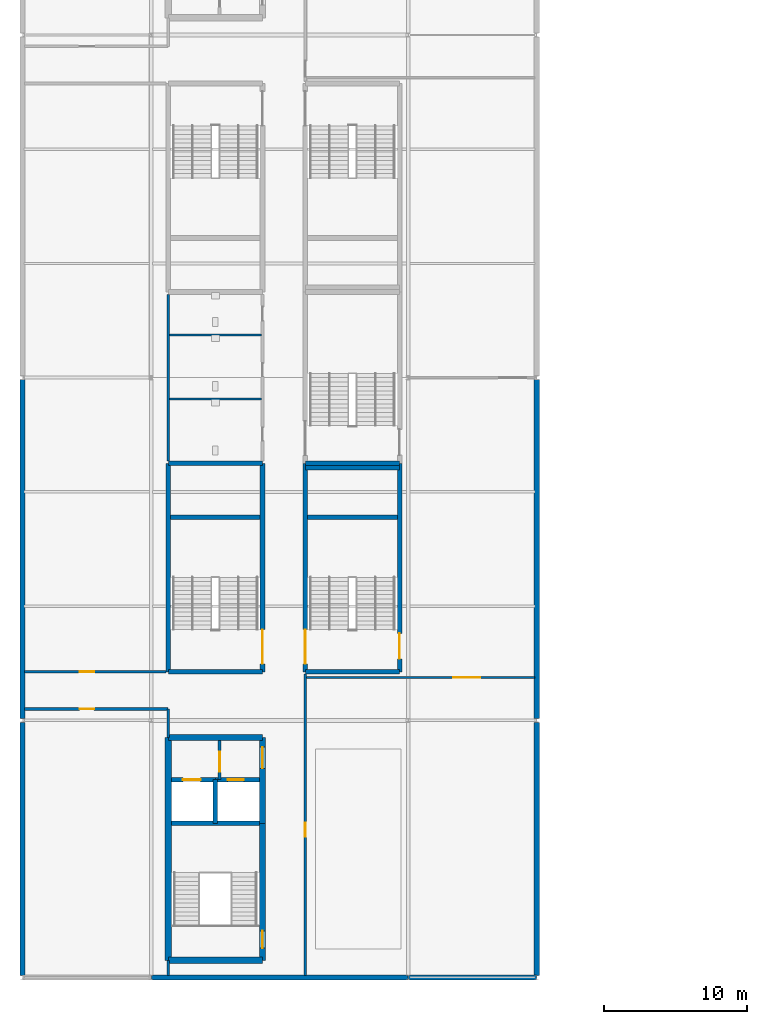
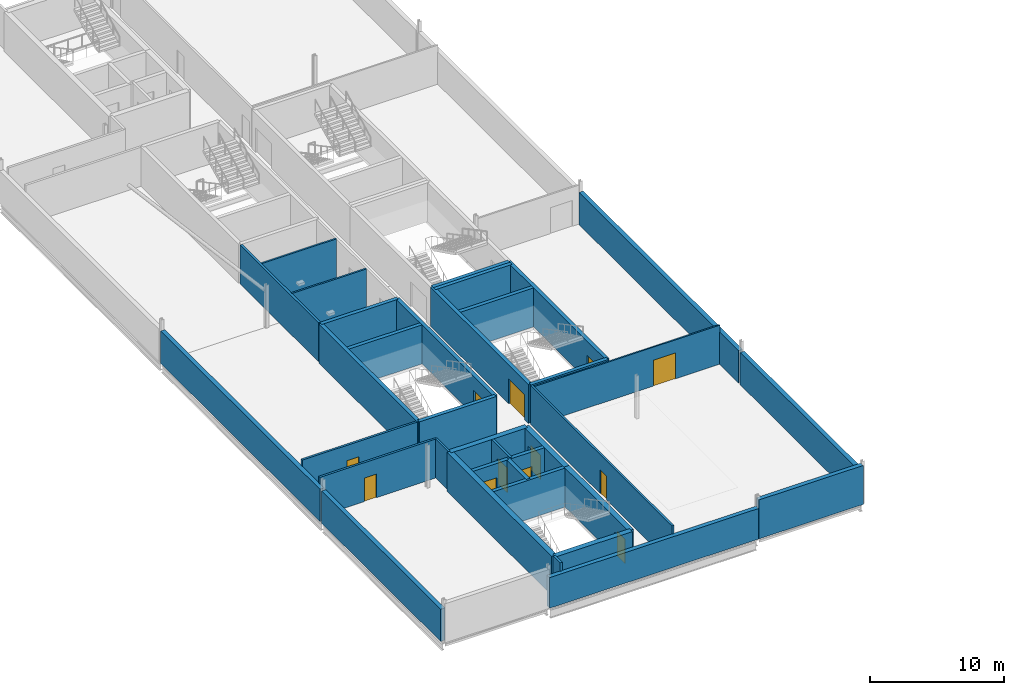
# One storey, part 14 of 30: 36 walls, 12 doors, 12 openings.
"""IFC4 building model written with IfcOpenShell, lengths in metres."""

from ifc_helpers import new_model, si_unit, direction, frame, frame_2d, origin, place, context, subcontext, project, spatial, rectangle, extrude, material, layer, layer_set, type_object, element, fill, save


model = new_model("IFC4")

# Units and contexts
model_context = context("Model", 3, precision=1e-05, world=origin(), true_north=direction((0.0, 1.0)))
body_context = subcontext(model_context, "Body", "Model", "MODEL_VIEW")
ifc_project = project(units=[si_unit("LENGTHUNIT", "METRE"), si_unit("AREAUNIT", "SQUARE_METRE"), si_unit("VOLUMEUNIT", "CUBIC_METRE"), si_unit("PLANEANGLEUNIT", "RADIAN"), si_unit("MASSUNIT", "GRAM", prefix="KILO")], contexts=[model_context])

# Site, building, storey
site_placement = place(None, origin())
site = spatial("IfcSite", under=ifc_project, at=site_placement, CompositionType="ELEMENT")
building_placement = place(site_placement, origin())
building = spatial("IfcBuilding", under=site, at=building_placement, Name="Kisiwana Market Hall", CompositionType="ELEMENT")
storey_placement = place(building_placement, frame((0.0, 0.0, 54.0)))
storey = spatial("IfcBuildingStorey", under=building, at=storey_placement, Name="L12", CompositionType="ELEMENT", Elevation=54.0)

# Wall, opening, door
ifc_material_1 = material(Name="Masonry blockwork", Category="masonry")
ifc_layer_1 = layer(ifc_material_1, 0.199951171875, Name="Plastered fire compartment block wall")
ifc_layer_set_1 = layer_set([ifc_layer_1], Name="WL-COMP-200")
wall_type_1 = type_object("IfcWallType", Name="WL-COMP-200", PredefinedType="PARTITIONING", material=ifc_layer_set_1)
wall_1_placement = place(storey_placement, frame((13.800048828125, 31.844970703125, 0.0), z_axis=(0.0, 0.0, 1.0), x_axis=(0.0, 1.0, 0.0)))
wall_1 = element("IfcWall", 1, at=wall_1_placement, inside=storey, type_object=wall_type_1, Name="Core W2 firefighting lobby wall W-3011", PredefinedType="PARTITIONING", context=body_context, shape_type="SweptSolid", body=[
    extrude(rectangle(XDim=2.72998046875, YDim=0.199951171875, at=frame_2d((1.364990234375, 0.0))), origin(), (0.0, 0.0, 1.0), 3.544921875),
])
opening_1_placement = place(wall_1_placement, frame((0.550048828125, 0.0, 0.0)))
opening_1 = element("IfcOpeningElement", 2, at=opening_1_placement, cuts=wall_1, Name="Opening DR-L12-003", PredefinedType="OPENING", context=body_context, shape_type="SweptSolid", body=[
    extrude(rectangle(XDim=1.39990234375, YDim=2.25, at=frame_2d((0.699951171875, 1.125))), frame((0.0, 0.11181640625, 0.0), z_axis=(0.0, -1.0, 0.0), x_axis=(1.0, 0.0, 0.0)), (0.0, 0.0, 1.0), 0.223876953125),
])
ifc_material_2 = material(Name="Steel S275", Category="steel")
door_type_1 = type_object("IfcDoorType", Name="DR-FFLOB-FD120-1400", OperationType="DOUBLE_DOOR_SINGLE_SWING", PredefinedType="DOOR", material=ifc_material_2)
door_1_placement = place(opening_1_placement, frame((1.39990234375, 0.0, 0.0), z_axis=(0.0, 0.0, 1.0), x_axis=(-1.0, 0.0, 0.0)))
door_1 = element("IfcDoor", 3, at=door_1_placement, inside=storey, type_object=door_type_1, Name="Firefighting Lift Lobby W2 Door (L12)", OperationType="DOUBLE_DOOR_SINGLE_SWING", OverallHeight=2.25, OverallWidth=1.39990234375, PredefinedType="DOOR", context=body_context, shape_type="SweptSolid", body=[
    extrude(rectangle(XDim=1.39990234375, YDim=2.25, at=frame_2d((0.699951171875, 1.125))), frame((0.0, 0.02490234375, 0.0), z_axis=(0.0, -1.0, 0.0), x_axis=(1.0, 0.0, 0.0)), (0.0, 0.0, 1.0), 0.050048828125),
])
fill(opening_1, door_1)

# Walls
wall_2_placement = place(storey_placement, frame((10.199951171875, 54.159912109375, 0.0), z_axis=(0.0, 0.0, 1.0), x_axis=(0.0, 1.0, 0.0)))
element("IfcWall", 4, at=wall_2_placement, inside=storey, type_object=wall_type_1, Name="Interior partition W-3015", PredefinedType="PARTITIONING", context=body_context, shape_type="SweptSolid", body=[
    extrude(rectangle(XDim=11.68017578125, YDim=0.199951171875, at=frame_2d((5.840087890625, 0.0))), origin(), (0.0, 0.0, 1.0), 3.544921875),
])
ifc_material_3 = material(Name="Concrete C40/50", Category="concrete")
ifc_layer_2 = layer(ifc_material_3, 0.320068359375, Name="Reinforced concrete shaft wall")
ifc_layer_set_2 = layer_set([ifc_layer_2], Name="WL-CORE-320")
wall_type_2 = type_object("IfcWallType", Name="WL-CORE-320", PredefinedType="SHEAR", material=ifc_layer_set_2)
wall_3_placement = place(storey_placement, frame((10.425048828125, 28.784912109375, 0.0), z_axis=(0.0, 0.0, 1.0), x_axis=(1.0, 0.0, 0.0)))
element("IfcWall", 5, at=wall_3_placement, inside=storey, type_object=wall_type_2, Name="Core W2 shaft back shear wall W-2904", PredefinedType="SHEAR", context=body_context, shape_type="SweptSolid", body=[
    extrude(rectangle(XDim=6.14990234375, YDim=0.320068359375, at=frame_2d((3.074951171875, 0.0))), origin(), (0.0, 0.0, 1.0), 3.544921875),
])
wall_4_placement = place(storey_placement, frame((13.5, 28.784912109375, 0.0), z_axis=(0.0, 0.0, 1.0), x_axis=(0.0, 1.0, 0.0)))
element("IfcWall", 6, at=wall_4_placement, inside=storey, type_object=wall_type_2, Name="Core W2 inter-shaft shear wall W-2905", PredefinedType="SHEAR", context=body_context, shape_type="SweptSolid", body=[
    extrude(rectangle(XDim=3.06005859375, YDim=0.320068359375, at=frame_2d((1.530029296875, 0.0))), origin(), (0.0, 0.0, 1.0), 3.544921875),
])

# Wall, opening, door
wall_5_placement = place(storey_placement, frame((10.425048828125, 31.844970703125, 0.0), z_axis=(0.0, 0.0, 1.0), x_axis=(1.0, 0.0, 0.0)))
wall_5 = element("IfcWall", 7, at=wall_5_placement, inside=storey, type_object=wall_type_2, Name="Core W2 west lift front wall W-2906", PredefinedType="SHEAR", context=body_context, shape_type="SweptSolid", body=[
    extrude(rectangle(XDim=3.074951171875, YDim=0.320068359375, at=frame_2d((1.53759765625, 0.0))), origin(), (0.0, 0.0, 1.0), 3.544921875),
])
opening_2_placement = place(wall_5_placement, frame((0.800048828125, 0.0, 0.0)))
opening_2 = element("IfcOpeningElement", 8, at=opening_2_placement, cuts=wall_5, Name="Opening LD-L12-001", PredefinedType="OPENING", context=body_context, shape_type="SweptSolid", body=[
    extrude(rectangle(XDim=1.25, YDim=2.25, at=frame_2d((0.625, 1.125))), frame((0.0, 0.171875, 0.0), z_axis=(0.0, -1.0, 0.0), x_axis=(1.0, 0.0, 0.0)), (0.0, 0.0, 1.0), 0.343994140625),
])
ifc_material_4 = material(Name="Steel S275", Category="steel")
door_type_2 = type_object("IfcDoorType", Name="DR-LIFT-FFL-1250", OperationType="DOUBLE_DOOR_SLIDING", PredefinedType="DOOR", material=ifc_material_4)
door_2_placement = place(opening_2_placement, origin())
door_2 = element("IfcDoor", 9, at=door_2_placement, inside=storey, type_object=door_type_2, Name="Lift Landing Door FFL-01 (L12)", OperationType="DOUBLE_DOOR_SLIDING", OverallHeight=2.25, OverallWidth=1.25, PredefinedType="DOOR", context=body_context, shape_type="SweptSolid", body=[
    extrude(rectangle(XDim=1.25, YDim=2.25, at=frame_2d((0.625, 1.125))), frame((0.0, 0.02490234375, 0.0), z_axis=(0.0, -1.0, 0.0), x_axis=(1.0, 0.0, 0.0)), (0.0, 0.0, 1.0), 0.050048828125),
])
fill(opening_2, door_2)

wall_6_placement = place(storey_placement, frame((13.5, 31.844970703125, 0.0), z_axis=(0.0, 0.0, 1.0), x_axis=(1.0, 0.0, 0.0)))
wall_6 = element("IfcWall", 10, at=wall_6_placement, inside=storey, type_object=wall_type_2, Name="Core W2 east lift front wall W-2907", PredefinedType="SHEAR", context=body_context, shape_type="SweptSolid", body=[
    extrude(rectangle(XDim=3.074951171875, YDim=0.320068359375, at=frame_2d((1.53759765625, 0.0))), origin(), (0.0, 0.0, 1.0), 3.544921875),
])
opening_3_placement = place(wall_6_placement, frame((0.85009765625, 0.0, 0.0)))
opening_3 = element("IfcOpeningElement", 11, at=opening_3_placement, cuts=wall_6, Name="Opening LD-L12-002", PredefinedType="OPENING", context=body_context, shape_type="SweptSolid", body=[
    extrude(rectangle(XDim=1.14990234375, YDim=2.199951171875, at=frame_2d((0.574951171875, 1.10009765625))), frame((0.0, 0.171875, 0.0), z_axis=(0.0, -1.0, 0.0), x_axis=(1.0, 0.0, 0.0)), (0.0, 0.0, 1.0), 0.343994140625),
])
ifc_material_5 = material(Name="Steel S275", Category="steel")
door_type_3 = type_object("IfcDoorType", Name="DR-LIFT-PAX-1150", OperationType="DOUBLE_DOOR_SLIDING", PredefinedType="DOOR", material=ifc_material_5)
door_3_placement = place(opening_3_placement, origin())
door_3 = element("IfcDoor", 12, at=door_3_placement, inside=storey, type_object=door_type_3, Name="Lift Landing Door LP-01 (L12)", OperationType="DOUBLE_DOOR_SLIDING", OverallHeight=2.199951171875, OverallWidth=1.14990234375, PredefinedType="DOOR", context=body_context, shape_type="SweptSolid", body=[
    extrude(rectangle(XDim=1.14990234375, YDim=2.199951171875, at=frame_2d((0.574951171875, 1.10009765625))), frame((0.0, 0.02490234375, 0.0), z_axis=(0.0, -1.0, 0.0), x_axis=(1.0, 0.0, 0.0)), (0.0, 0.0, 1.0), 0.050048828125),
])
fill(opening_3, door_3)

# Walls
for number, where, z_axis, x_axis, name in (
    (13, (10.199951171875, 39.39990234375, 0.0), (0.0, 0.0, 1.0), (1.0, 0.0, 0.0), "Core W3 south shear wall W-2935"),
    (14, (10.199951171875, 54.0, 0.0), (0.0, 0.0, 1.0), (1.0, 0.0, 0.0), "Core W3 north shear wall W-2936"),
):
    element("IfcWall", number, at=place(storey_placement, frame(where, z_axis=z_axis, x_axis=x_axis)), inside=storey, type_object=wall_type_2, Name=name, PredefinedType="SHEAR", context=body_context, shape_type="SweptSolid", body=[
        extrude(rectangle(XDim=6.60009765625, YDim=0.320068359375, at=frame_2d((3.300048828125, 0.0))), origin(), (0.0, 0.0, 1.0), 3.544921875),
    ])
wall_7_placement = place(storey_placement, frame((10.199951171875, 39.39990234375, 0.0), z_axis=(0.0, 0.0, 1.0), x_axis=(0.0, 1.0, 0.0)))
element("IfcWall", 15, at=wall_7_placement, inside=storey, type_object=wall_type_2, Name="Core W3 outer shear wall W-2937", PredefinedType="SHEAR", context=body_context, shape_type="SweptSolid", body=[
    extrude(rectangle(XDim=14.60009765625, YDim=0.320068359375, at=frame_2d((7.300048828125, 0.0))), origin(), (0.0, 0.0, 1.0), 3.544921875),
])

# Wall, opening, door
wall_8_placement = place(storey_placement, frame((16.800048828125, 39.39990234375, 0.0), z_axis=(0.0, 0.0, 1.0), x_axis=(0.0, 1.0, 0.0)))
wall_8 = element("IfcWall", 16, at=wall_8_placement, inside=storey, type_object=wall_type_2, Name="Core W3 corridor shear wall W-2938", PredefinedType="SHEAR", context=body_context, shape_type="SweptSolid", body=[
    extrude(rectangle(XDim=14.60009765625, YDim=0.320068359375, at=frame_2d((7.300048828125, 0.0))), origin(), (0.0, 0.0, 1.0), 3.544921875),
])
opening_4_placement = place(wall_8_placement, frame((0.550048828125, 0.0, 0.0)))
opening_4 = element("IfcOpeningElement", 17, at=opening_4_placement, cuts=wall_8, Name="Opening DR-L12-013", PredefinedType="OPENING", context=body_context, shape_type="SweptSolid", body=[
    extrude(rectangle(XDim=2.39990234375, YDim=2.25, at=frame_2d((1.199951171875, 1.125))), frame((0.0, 0.171875, 0.0), z_axis=(0.0, -1.0, 0.0), x_axis=(1.0, 0.0, 0.0)), (0.0, 0.0, 1.0), 0.343994140625),
])
ifc_material_6 = material(Name="Steel S275", Category="steel")
door_type_4 = type_object("IfcDoorType", Name="DR-STAIR-FD120-2400", OperationType="DOUBLE_DOOR_SINGLE_SWING", PredefinedType="DOOR", material=ifc_material_6)
door_4_placement = place(opening_4_placement, origin())
door_4 = element("IfcDoor", 18, at=door_4_placement, inside=storey, type_object=door_type_4, Name="Escape Stair W3 Fire Door (L12)", OperationType="DOUBLE_DOOR_SINGLE_SWING", OverallHeight=2.25, OverallWidth=2.39990234375, PredefinedType="DOOR", context=body_context, shape_type="SweptSolid", body=[
    extrude(rectangle(XDim=2.39990234375, YDim=2.25, at=frame_2d((1.199951171875, 1.125))), frame((0.0, 0.02490234375, 0.0), z_axis=(0.0, -1.0, 0.0), x_axis=(1.0, 0.0, 0.0)), (0.0, 0.0, 1.0), 0.050048828125),
])
fill(opening_4, door_4)

# Walls
wall_9_placement = place(storey_placement, frame((10.360107421875, 50.219970703125, 0.0), z_axis=(0.0, 0.0, 1.0), x_axis=(1.0, 0.0, 0.0)))
element("IfcWall", 19, at=wall_9_placement, inside=storey, type_object=wall_type_2, Name="Core W3 riser divider shear wall W-2939", PredefinedType="SHEAR", context=body_context, shape_type="SweptSolid", body=[
    extrude(rectangle(XDim=6.27978515625, YDim=0.320068359375, at=frame_2d((3.139892578125, 0.0))), origin(), (0.0, 0.0, 1.0), 3.544921875),
])
for number, where, z_axis, x_axis, name in (
    (20, (19.800048828125, 39.39990234375, 0.0), (0.0, 0.0, 1.0), (1.0, 0.0, 0.0), "Core W7 south shear wall W-2955"),
    (21, (19.800048828125, 54.0, 0.0), (0.0, 0.0, 1.0), (1.0, 0.0, 0.0), "Core W7 north shear wall W-2956"),
):
    element("IfcWall", number, at=place(storey_placement, frame(where, z_axis=z_axis, x_axis=x_axis)), inside=storey, type_object=wall_type_2, Name=name, PredefinedType="SHEAR", context=body_context, shape_type="SweptSolid", body=[
        extrude(rectangle(XDim=6.599853515625, YDim=0.320068359375, at=frame_2d((3.2998046875, 0.0))), origin(), (0.0, 0.0, 1.0), 3.544921875),
    ])

# Wall, opening, door
wall_10_placement = place(storey_placement, frame((19.800048828125, 39.39990234375, 0.0), z_axis=(0.0, 0.0, 1.0), x_axis=(0.0, 1.0, 0.0)))
wall_10 = element("IfcWall", 22, at=wall_10_placement, inside=storey, type_object=wall_type_2, Name="Core W7 corridor shear wall W-2957", PredefinedType="SHEAR", context=body_context, shape_type="SweptSolid", body=[
    extrude(rectangle(XDim=14.60009765625, YDim=0.320068359375, at=frame_2d((7.300048828125, 0.0))), origin(), (0.0, 0.0, 1.0), 3.544921875),
])
opening_5_placement = place(wall_10_placement, frame((0.550048828125, 0.0, 0.0)))
opening_5 = element("IfcOpeningElement", 23, at=opening_5_placement, cuts=wall_10, Name="Opening DR-L12-017", PredefinedType="OPENING", context=body_context, shape_type="SweptSolid", body=[
    extrude(rectangle(XDim=2.39990234375, YDim=2.25, at=frame_2d((1.199951171875, 1.125))), frame((0.0, 0.171875, 0.0), z_axis=(0.0, -1.0, 0.0), x_axis=(1.0, 0.0, 0.0)), (0.0, 0.0, 1.0), 0.343994140625),
])
door_5_placement = place(opening_5_placement, frame((2.39990234375, 0.0, 0.0), z_axis=(0.0, 0.0, 1.0), x_axis=(-1.0, 0.0, 0.0)))
door_5 = element("IfcDoor", 24, at=door_5_placement, inside=storey, type_object=door_type_4, Name="Escape Stair W7 Fire Door (L12)", OperationType="DOUBLE_DOOR_SINGLE_SWING", OverallHeight=2.25, OverallWidth=2.39990234375, PredefinedType="DOOR", context=body_context, shape_type="SweptSolid", body=[
    extrude(rectangle(XDim=2.39990234375, YDim=2.25, at=frame_2d((1.199951171875, 1.125))), frame((0.0, 0.02490234375, 0.0), z_axis=(0.0, -1.0, 0.0), x_axis=(1.0, 0.0, 0.0)), (0.0, 0.0, 1.0), 0.050048828125),
])
fill(opening_5, door_5)

wall_11_placement = place(storey_placement, frame((26.39990234375, 39.39990234375, 0.0), z_axis=(0.0, 0.0, 1.0), x_axis=(0.0, 1.0, 0.0)))
wall_11 = element("IfcWall", 25, at=wall_11_placement, inside=storey, type_object=wall_type_2, Name="Core W7 outer shear wall W-2958", PredefinedType="SHEAR", context=body_context, shape_type="SweptSolid", body=[
    extrude(rectangle(XDim=14.60009765625, YDim=0.320068359375, at=frame_2d((7.300048828125, 0.0))), origin(), (0.0, 0.0, 1.0), 3.544921875),
])
opening_6_placement = place(wall_11_placement, frame((0.89990234375, 0.0, 0.0)))
opening_6 = element("IfcOpeningElement", 26, at=opening_6_placement, cuts=wall_11, Name="Opening DR-L12-018", PredefinedType="OPENING", context=body_context, shape_type="SweptSolid", body=[
    extrude(rectangle(XDim=1.800048828125, YDim=2.25, at=frame_2d((0.89990234375, 1.125))), frame((0.0, 0.171875, 0.0), z_axis=(0.0, -1.0, 0.0), x_axis=(1.0, 0.0, 0.0)), (0.0, 0.0, 1.0), 0.343994140625),
])
ifc_material_7 = material(Name="Steel S275", Category="steel")
door_type_5 = type_object("IfcDoorType", Name="DR-STAIR-FD120-1800", OperationType="DOUBLE_DOOR_SINGLE_SWING", PredefinedType="DOOR", material=ifc_material_7)
door_6_placement = place(opening_6_placement, origin())
door_6 = element("IfcDoor", 27, at=door_6_placement, inside=storey, type_object=door_type_5, Name="Escape Stair W7 Room Door (L12)", OperationType="DOUBLE_DOOR_SINGLE_SWING", OverallHeight=2.25, OverallWidth=1.800048828125, PredefinedType="DOOR", context=body_context, shape_type="SweptSolid", body=[
    extrude(rectangle(XDim=1.800048828125, YDim=2.25, at=frame_2d((0.89990234375, 1.125))), frame((0.0, 0.02490234375, 0.0), z_axis=(0.0, -1.0, 0.0), x_axis=(1.0, 0.0, 0.0)), (0.0, 0.0, 1.0), 0.050048828125),
])
fill(opening_6, door_6)

# Walls
wall_12_placement = place(storey_placement, frame((19.9599609375, 50.219970703125, 0.0), z_axis=(0.0, 0.0, 1.0), x_axis=(1.0, 0.0, 0.0)))
element("IfcWall", 28, at=wall_12_placement, inside=storey, type_object=wall_type_2, Name="Core W7 riser divider shear wall W-2959", PredefinedType="SHEAR", context=body_context, shape_type="SweptSolid", body=[
    extrude(rectangle(XDim=6.280029296875, YDim=0.320068359375, at=frame_2d((3.14013671875, 0.0))), origin(), (0.0, 0.0, 1.0), 3.544921875),
])
wall_13_placement = place(storey_placement, frame((19.800048828125, 53.679931640625, 0.0), z_axis=(0.0, 0.0, 1.0), x_axis=(1.0, 0.0, 0.0)))
element("IfcWall", 29, at=wall_13_placement, inside=storey, type_object=wall_type_2, Name="Core W5 south shear wall W-2975", PredefinedType="SHEAR", context=body_context, shape_type="SweptSolid", body=[
    extrude(rectangle(XDim=6.599853515625, YDim=0.320068359375, at=frame_2d((3.2998046875, 0.0))), origin(), (0.0, 0.0, 1.0), 3.544921875),
])
ifc_material_8 = material(Name="Concrete C40/50", Category="concrete")
ifc_layer_3 = layer(ifc_material_8, 0.449951171875, Name="Reinforced concrete core wall")
ifc_layer_set_3 = layer_set([ifc_layer_3], Name="WL-CORE-450")
wall_type_3 = type_object("IfcWallType", Name="WL-CORE-450", PredefinedType="SHEAR", material=ifc_layer_set_3)
for number, where, z_axis, x_axis, name in (
    (30, (10.199951171875, 19.199951171875, 0.0), (0.0, 0.0, 1.0), (1.0, 0.0, 0.0), "Core W2 south shear wall W-2899"),
    (31, (10.199951171875, 34.800048828125, 0.0), (0.0, 0.0, 1.0), (1.0, 0.0, 0.0), "Core W2 north shear wall W-2900"),
):
    element("IfcWall", number, at=place(storey_placement, frame(where, z_axis=z_axis, x_axis=x_axis)), inside=storey, type_object=wall_type_3, Name=name, PredefinedType="SHEAR", context=body_context, shape_type="SweptSolid", body=[
        extrude(rectangle(XDim=6.60009765625, YDim=0.449951171875, at=frame_2d((3.300048828125, 0.0))), origin(), (0.0, 0.0, 1.0), 3.544921875),
    ])
wall_14_placement = place(storey_placement, frame((10.199951171875, 19.199951171875, 0.0), z_axis=(0.0, 0.0, 1.0), x_axis=(0.0, 1.0, 0.0)))
element("IfcWall", 32, at=wall_14_placement, inside=storey, type_object=wall_type_3, Name="Core W2 outer shear wall W-2901", PredefinedType="SHEAR", context=body_context, shape_type="SweptSolid", body=[
    extrude(rectangle(XDim=15.60009765625, YDim=0.449951171875, at=frame_2d((7.800048828125, 0.0))), origin(), (0.0, 0.0, 1.0), 3.544921875),
])

# Wall, opening, door
wall_15_placement = place(storey_placement, frame((16.800048828125, 19.199951171875, 0.0), z_axis=(0.0, 0.0, 1.0), x_axis=(0.0, 1.0, 0.0)))
wall_15 = element("IfcWall", 33, at=wall_15_placement, inside=storey, type_object=wall_type_3, Name="Core W2 stair corridor shear wall W-2902", PredefinedType="SHEAR", context=body_context, shape_type="SweptSolid", body=[
    extrude(rectangle(XDim=9.5849609375, YDim=0.449951171875, at=frame_2d((4.79248046875, 0.0))), origin(), (0.0, 0.0, 1.0), 3.544921875),
])
opening_7_placement = place(wall_15_placement, frame((0.85009765625, 0.0, 0.0)))
opening_7 = element("IfcOpeningElement", 34, at=opening_7_placement, cuts=wall_15, Name="Opening DR-L12-001", PredefinedType="OPENING", context=body_context, shape_type="SweptSolid", body=[
    extrude(rectangle(XDim=1.199951171875, YDim=2.199951171875, at=frame_2d((0.60009765625, 1.10009765625))), frame((0.0, 0.23681640625, 0.0), z_axis=(0.0, -1.0, 0.0), x_axis=(1.0, 0.0, 0.0)), (0.0, 0.0, 1.0), 0.473876953125),
])
ifc_material_9 = material(Name="Steel S275", Category="steel")
door_type_6 = type_object("IfcDoorType", Name="DR-STAIR-FD120-1200", OperationType="NOTDEFINED", PredefinedType="DOOR", material=ifc_material_9)
door_7_placement = place(opening_7_placement, origin())
door_7 = element("IfcDoor", 35, at=door_7_placement, inside=storey, type_object=door_type_6, Name="Escape Stair W2 Fire Door (L12)", OperationType="SINGLE_SWING_LEFT", OverallHeight=2.199951171875, OverallWidth=1.199951171875, PredefinedType="DOOR", context=body_context, shape_type="SweptSolid", body=[
    extrude(rectangle(XDim=1.199951171875, YDim=2.199951171875, at=frame_2d((0.60009765625, 1.10009765625))), frame((0.0, 0.02490234375, 0.0), z_axis=(0.0, -1.0, 0.0), x_axis=(1.0, 0.0, 0.0)), (0.0, 0.0, 1.0), 0.050048828125),
])
fill(opening_7, door_7)

wall_16_placement = place(storey_placement, frame((16.800048828125, 28.784912109375, 0.0), z_axis=(0.0, 0.0, 1.0), x_axis=(0.0, 1.0, 0.0)))
wall_16 = element("IfcWall", 36, at=wall_16_placement, inside=storey, type_object=wall_type_3, Name="Core W2 lobby corridor shear wall W-2903", PredefinedType="SHEAR", context=body_context, shape_type="SweptSolid", body=[
    extrude(rectangle(XDim=6.01513671875, YDim=0.449951171875, at=frame_2d((3.007568359375, 0.0))), origin(), (0.0, 0.0, 1.0), 3.544921875),
])
opening_8_placement = place(wall_16_placement, frame((3.85009765625, 0.0, 0.0)))
opening_8 = element("IfcOpeningElement", 37, at=opening_8_placement, cuts=wall_16, Name="Opening DR-L12-002", PredefinedType="OPENING", context=body_context, shape_type="SweptSolid", body=[
    extrude(rectangle(XDim=1.5, YDim=2.199951171875, at=frame_2d((0.75, 1.10009765625))), frame((0.0, 0.23681640625, 0.0), z_axis=(0.0, -1.0, 0.0), x_axis=(1.0, 0.0, 0.0)), (0.0, 0.0, 1.0), 0.473876953125),
])
ifc_material_10 = material(Name="Steel S275", Category="steel")
door_type_7 = type_object("IfcDoorType", Name="DR-CORR-FD60-1500", OperationType="DOUBLE_DOOR_SINGLE_SWING", PredefinedType="DOOR", material=ifc_material_10)
door_8_placement = place(opening_8_placement, frame((1.5, 0.0, 0.0), z_axis=(0.0, 0.0, 1.0), x_axis=(-1.0, 0.0, 0.0)))
door_8 = element("IfcDoor", 38, at=door_8_placement, inside=storey, type_object=door_type_7, Name="Passenger Lift Lobby W2 Smoke Door (L12)", OperationType="DOUBLE_DOOR_SINGLE_SWING", OverallHeight=2.199951171875, OverallWidth=1.5, PredefinedType="DOOR", context=body_context, shape_type="SweptSolid", body=[
    extrude(rectangle(XDim=1.5, YDim=2.199951171875, at=frame_2d((0.75, 1.10009765625))), frame((0.0, 0.02490234375, 0.0), z_axis=(0.0, -1.0, 0.0), x_axis=(1.0, 0.0, 0.0)), (0.0, 0.0, 1.0), 0.050048828125),
])
fill(opening_8, door_8)

ifc_material_11 = material(Name="Masonry blockwork", Category="masonry")
ifc_layer_4 = layer(ifc_material_11, 0.169921875, Name="Protected corridor partition")
ifc_layer_set_4 = layer_set([ifc_layer_4], Name="WL-CORR-170")
wall_type_4 = type_object("IfcWallType", Name="WL-CORR-170", PredefinedType="PARTITIONING", material=ifc_layer_set_4)
wall_17_placement = place(storey_placement, frame((19.800048828125, 18.14501953125, 0.0), z_axis=(0.0, 0.0, 1.0), x_axis=(0.0, 1.0, 0.0)))
wall_17 = element("IfcWall", 39, at=wall_17_placement, inside=storey, type_object=wall_type_4, Name="Interior partition W-3030", PredefinedType="PARTITIONING", context=body_context, shape_type="SweptSolid", body=[
    extrude(rectangle(XDim=21.094970703125, YDim=0.169921875, at=frame_2d((10.54736328125, 0.0))), origin(), (0.0, 0.0, 1.0), 3.544921875),
])
opening_9_placement = place(wall_17_placement, frame((9.715087890625, 0.0, 0.0)))
opening_9 = element("IfcOpeningElement", 40, at=opening_9_placement, cuts=wall_17, Name="Opening DR-L12-035", PredefinedType="OPENING", context=body_context, shape_type="SweptSolid", body=[
    extrude(rectangle(XDim=0.97998046875, YDim=2.14990234375, at=frame_2d((0.489990234375, 1.074951171875))), frame((0.0, 0.096923828125, 0.0), z_axis=(0.0, -1.0, 0.0), x_axis=(1.0, 0.0, 0.0)), (0.0, 0.0, 1.0), 0.19384765625),
])
ifc_material_12 = material(Name="Hardwood timber", Category="wood")
door_type_8 = type_object("IfcDoorType", Name="DR-STOR-FD60-0980", OperationType="NOTDEFINED", PredefinedType="DOOR", material=ifc_material_12)
door_9_placement = place(opening_9_placement, frame((0.97998046875, 0.0, 0.0), z_axis=(0.0, 0.0, 1.0), x_axis=(-1.0, 0.0, 0.0)))
door_9 = element("IfcDoor", 41, at=door_9_placement, inside=storey, type_object=door_type_8, Name="L12 W Executive Office C1 Door", OperationType="SINGLE_SWING_RIGHT", OverallHeight=2.14990234375, OverallWidth=0.97998046875, PredefinedType="DOOR", context=body_context, shape_type="SweptSolid", body=[
    extrude(rectangle(XDim=0.97998046875, YDim=2.14990234375, at=frame_2d((0.489990234375, 1.074951171875))), frame((0.0, 0.02490234375, 0.0), z_axis=(0.0, -1.0, 0.0), x_axis=(1.0, 0.0, 0.0)), (0.0, 0.0, 1.0), 0.050048828125),
])
fill(opening_9, door_9)

# Walls
ifc_material_13 = material(Name="Concrete C40/50 precast", Category="concrete")
ifc_layer_5 = layer(ifc_material_13, 0.364990234375)
ifc_layer_set_5 = layer_set([ifc_layer_5], Name="WL-EXT-365")
wall_type_5 = type_object("IfcWallType", Name="WL-EXT-365", PredefinedType="STANDARD", material=ifc_layer_set_5)
wall_18_placement = place(storey_placement, frame((9.010009765625, 18.0, 0.0), z_axis=(0.0, 0.0, 1.0), x_axis=(1.0, 0.0, 0.0)))
element("IfcWall", 42, at=wall_18_placement, inside=storey, type_object=wall_type_5, Name="Exterior wall W-2984", PredefinedType="STANDARD", context=body_context, shape_type="SweptSolid", body=[
    extrude(rectangle(XDim=17.97998046875, YDim=0.364990234375, at=frame_2d((8.989990234375, 0.0))), origin(), (0.0, 0.0, 1.0), 2.78271484375),
])
wall_19_placement = place(storey_placement, frame((27.010009765625, 18.0, 0.0), z_axis=(0.0, 0.0, 1.0), x_axis=(1.0, 0.0, 0.0)))
element("IfcWall", 43, at=wall_19_placement, inside=storey, type_object=wall_type_5, Name="Exterior wall W-2985", PredefinedType="STANDARD", context=body_context, shape_type="SweptSolid", body=[
    extrude(rectangle(XDim=8.97998046875, YDim=0.364990234375, at=frame_2d((4.489990234375, 0.0))), origin(), (0.0, 0.0, 1.0), 3.544921875),
])
wall_20_placement = place(storey_placement, frame((0.0, 18.131591796875, 0.0), z_axis=(0.0, 0.0, 1.0), x_axis=(0.0, 1.0, 0.0)))
element("IfcWall", 44, at=wall_20_placement, inside=storey, type_object=wall_type_5, Name="Exterior wall W-2995", PredefinedType="STANDARD", context=body_context, shape_type="SweptSolid", body=[
    extrude(rectangle(XDim=17.73681640625, YDim=0.364990234375, at=frame_2d((8.868408203125, 0.0))), origin(), (0.0, 0.0, 1.0), 2.932861328125),
])
wall_21_placement = place(storey_placement, frame((0.0, 36.131591796875, 0.0), z_axis=(0.0, 0.0, 1.0), x_axis=(0.0, 1.0, 0.0)))
element("IfcWall", 45, at=wall_21_placement, inside=storey, type_object=wall_type_5, Name="Exterior wall W-2996", PredefinedType="STANDARD", context=body_context, shape_type="SweptSolid", body=[
    extrude(rectangle(XDim=23.73681640625, YDim=0.364990234375, at=frame_2d((11.868408203125, 0.0))), origin(), (0.0, 0.0, 1.0), 2.932861328125),
])
wall_22_placement = place(storey_placement, frame((36.0, 18.131591796875, 0.0), z_axis=(0.0, 0.0, 1.0), x_axis=(0.0, 1.0, 0.0)))
element("IfcWall", 46, at=wall_22_placement, inside=storey, type_object=wall_type_5, Name="Exterior wall W-2999", PredefinedType="STANDARD", context=body_context, shape_type="SweptSolid", body=[
    extrude(rectangle(XDim=17.73681640625, YDim=0.364990234375, at=frame_2d((8.868408203125, 0.0))), origin(), (0.0, 0.0, 1.0), 2.932861328125),
])
wall_23_placement = place(storey_placement, frame((36.0, 36.131591796875, 0.0), z_axis=(0.0, 0.0, 1.0), x_axis=(0.0, 1.0, 0.0)))
element("IfcWall", 47, at=wall_23_placement, inside=storey, type_object=wall_type_5, Name="Exterior wall W-3000", PredefinedType="STANDARD", context=body_context, shape_type="SweptSolid", body=[
    extrude(rectangle(XDim=23.73681640625, YDim=0.364990234375, at=frame_2d((11.868408203125, 0.0))), origin(), (0.0, 0.0, 1.0), 2.932861328125),
])

# Wall, opening, door
ifc_material_14 = material(Name="Gypsum plasterboard")
ifc_layer_6 = layer(ifc_material_14, 0.125, Name="Double gypsum board + acoustic stud")
ifc_layer_set_6 = layer_set([ifc_layer_6], Name="WL-OFF-125")
wall_type_6 = type_object("IfcWallType", Name="WL-OFF-125", PredefinedType="PARTITIONING", material=ifc_layer_set_6)
wall_24_placement = place(storey_placement, frame((19.885009765625, 39.0, 0.0), z_axis=(0.0, 0.0, 1.0), x_axis=(1.0, 0.0, 0.0)))
wall_24 = element("IfcWall", 48, at=wall_24_placement, inside=storey, type_object=wall_type_6, Name="Interior partition W-3027", PredefinedType="PARTITIONING", context=body_context, shape_type="SweptSolid", body=[
    extrude(rectangle(XDim=15.969970703125, YDim=0.125, at=frame_2d((7.98486328125, 0.0))), origin(), (0.0, 0.0, 1.0), 3.544921875),
])
opening_10_placement = place(wall_24_placement, frame((10.264892578125, 0.0, 0.0)))
opening_10 = element("IfcOpeningElement", 49, at=opening_10_placement, cuts=wall_24, Name="Opening DR-L12-033", PredefinedType="OPENING", context=body_context, shape_type="SweptSolid", body=[
    extrude(rectangle(XDim=1.89990234375, YDim=2.35009765625, at=frame_2d((0.949951171875, 1.175048828125))), frame((0.0, 0.074462890625, 0.0), z_axis=(0.0, -1.0, 0.0), x_axis=(1.0, 0.0, 0.0)), (0.0, 0.0, 1.0), 0.14892578125),
])
ifc_material_15 = material(Name="Steel S275", Category="steel")
door_type_9 = type_object("IfcDoorType", Name="DR-HALL-1900", OperationType="DOUBLE_DOOR_SINGLE_SWING", PredefinedType="DOOR", material=ifc_material_15)
door_10_placement = place(opening_10_placement, origin())
door_10 = element("IfcDoor", 50, at=door_10_placement, inside=storey, type_object=door_type_9, Name="L12 W Director Boardroom C2 Exit Door", OperationType="DOUBLE_DOOR_SINGLE_SWING", OverallHeight=2.35009765625, OverallWidth=1.89990234375, PredefinedType="DOOR", context=body_context, shape_type="SweptSolid", body=[
    extrude(rectangle(XDim=1.89990234375, YDim=2.35009765625, at=frame_2d((0.949951171875, 1.175048828125))), frame((0.0, 0.02490234375, 0.0), z_axis=(0.0, -1.0, 0.0), x_axis=(1.0, 0.0, 0.0)), (0.0, 0.0, 1.0), 0.050048828125),
])
fill(opening_10, door_10)

# Walls
ifc_material_16 = material(Name="Concrete C32/40", Category="concrete")
ifc_layer_7 = layer(ifc_material_16, 0.18505859375)
ifc_layer_set_7 = layer_set([ifc_layer_7], Name="WL-PART-185")
wall_type_7 = type_object("IfcWallType", Name="WL-PART-185", PredefinedType="PARTITIONING", material=ifc_layer_set_7)
wall_25_placement = place(storey_placement, frame((10.199951171875, 34.800048828125, 0.0), z_axis=(0.0, 0.0, 1.0), x_axis=(0.0, 1.0, 0.0)))
element("IfcWall", 51, at=wall_25_placement, inside=storey, type_object=wall_type_7, Name="Interior partition W-3019", PredefinedType="PARTITIONING", context=body_context, shape_type="SweptSolid", body=[
    extrude(rectangle(XDim=2.0, YDim=0.18505859375, at=frame_2d((1.0, 0.0))), origin(), (0.0, 0.0, 1.0), 3.544921875),
])
wall_26_placement = place(storey_placement, frame((10.199951171875, 18.14501953125, 0.0), z_axis=(0.0, 0.0, 1.0), x_axis=(0.0, 1.0, 0.0)))
element("IfcWall", 52, at=wall_26_placement, inside=storey, type_object=wall_type_7, Name="Interior partition W-3021", PredefinedType="PARTITIONING", context=body_context, shape_type="SweptSolid", body=[
    extrude(rectangle(XDim=1.054931640625, YDim=0.18505859375, at=frame_2d((0.52734375, 0.0))), origin(), (0.0, 0.0, 1.0), 3.544921875),
])

# Wall, opening, door
wall_27_placement = place(storey_placement, frame((0.14501953125, 36.800048828125, 0.0), z_axis=(0.0, 0.0, 1.0), x_axis=(1.0, 0.0, 0.0)))
wall_27 = element("IfcWall", 53, at=wall_27_placement, inside=storey, type_object=wall_type_7, Name="Interior partition W-3023", PredefinedType="PARTITIONING", context=body_context, shape_type="SweptSolid", body=[
    extrude(rectangle(XDim=10.054931640625, YDim=0.18505859375, at=frame_2d((5.02734375, 0.0))), origin(), (0.0, 0.0, 1.0), 3.544921875),
])
opening_11_placement = place(wall_27_placement, frame((3.85498046875, 0.0, 0.0)))
opening_11 = element("IfcOpeningElement", 54, at=opening_11_placement, cuts=wall_27, Name="Opening DR-L12-030", PredefinedType="OPENING", context=body_context, shape_type="SweptSolid", body=[
    extrude(rectangle(XDim=1.0, YDim=2.14990234375, at=frame_2d((0.5, 1.074951171875))), frame((0.0, 0.1044921875, 0.0), z_axis=(0.0, -1.0, 0.0), x_axis=(1.0, 0.0, 0.0)), (0.0, 0.0, 1.0), 0.208984375),
])
ifc_material_17 = material(Name="Aluminium alloy 6063-T6", Category="aluminium")
door_type_10 = type_object("IfcDoorType", Name="DR-OFF-1000", OperationType="NOTDEFINED", PredefinedType="DOOR", material=ifc_material_17)
door_11_placement = place(opening_11_placement, frame((1.0, 0.0, 0.0), z_axis=(0.0, 0.0, 1.0), x_axis=(-1.0, 0.0, 0.0)))
door_11 = element("IfcDoor", 55, at=door_11_placement, inside=storey, type_object=door_type_10, Name="L12 W Commercial Office South Door", OperationType="SINGLE_SWING_RIGHT", OverallHeight=2.14990234375, OverallWidth=1.0, PredefinedType="DOOR", context=body_context, shape_type="SweptSolid", body=[
    extrude(rectangle(XDim=1.0, YDim=2.14990234375, at=frame_2d((0.5, 1.074951171875))), frame((0.0, 0.02490234375, 0.0), z_axis=(0.0, -1.0, 0.0), x_axis=(1.0, 0.0, 0.0)), (0.0, 0.0, 1.0), 0.050048828125),
])
fill(opening_11, door_11)

wall_28_placement = place(storey_placement, frame((0.14501953125, 39.39990234375, 0.0), z_axis=(0.0, 0.0, 1.0), x_axis=(1.0, 0.0, 0.0)))
wall_28 = element("IfcWall", 56, at=wall_28_placement, inside=storey, type_object=wall_type_7, Name="Interior partition W-3024", PredefinedType="PARTITIONING", context=body_context, shape_type="SweptSolid", body=[
    extrude(rectangle(XDim=9.89501953125, YDim=0.18505859375, at=frame_2d((4.947509765625, 0.0))), origin(), (0.0, 0.0, 1.0), 3.544921875),
])
opening_12_placement = place(wall_28_placement, frame((3.85498046875, 0.0, 0.0)))
opening_12 = element("IfcOpeningElement", 57, at=opening_12_placement, cuts=wall_28, Name="Opening DR-L12-031", PredefinedType="OPENING", context=body_context, shape_type="SweptSolid", body=[
    extrude(rectangle(XDim=1.0, YDim=2.14990234375, at=frame_2d((0.5, 1.074951171875))), frame((0.0, 0.1044921875, 0.0), z_axis=(0.0, -1.0, 0.0), x_axis=(1.0, 0.0, 0.0)), (0.0, 0.0, 1.0), 0.208984375),
])
door_12_placement = place(opening_12_placement, origin())
door_12 = element("IfcDoor", 58, at=door_12_placement, inside=storey, type_object=door_type_10, Name="L12 W Commercial Office Central Door", OperationType="SINGLE_SWING_LEFT", OverallHeight=2.14990234375, OverallWidth=1.0, PredefinedType="DOOR", context=body_context, shape_type="SweptSolid", body=[
    extrude(rectangle(XDim=1.0, YDim=2.14990234375, at=frame_2d((0.5, 1.074951171875))), frame((0.0, 0.02490234375, 0.0), z_axis=(0.0, -1.0, 0.0), x_axis=(1.0, 0.0, 0.0)), (0.0, 0.0, 1.0), 0.050048828125),
])
fill(opening_12, door_12)

# Walls
ifc_material_18 = material(Name="Masonry blockwork", Category="masonry")
ifc_layer_8 = layer(ifc_material_18, 0.14990234375, Name="Water-resistant sanitary block wall")
ifc_layer_set_8 = layer_set([ifc_layer_8], Name="WL-WET-150")
wall_type_8 = type_object("IfcWallType", Name="WL-WET-150", PredefinedType="PARTITIONING", material=ifc_layer_set_8)
for number, where, z_axis, x_axis, name in (
    (59, (10.284912109375, 58.5, 0.0), (0.0, 0.0, 1.0), (1.0, 0.0, 0.0), "Interior partition W-3017"),
    (60, (10.284912109375, 63.0, 0.0), (0.0, 0.0, 1.0), (1.0, 0.0, 0.0), "Interior partition W-3018"),
):
    element("IfcWall", number, at=place(storey_placement, frame(where, z_axis=z_axis, x_axis=x_axis)), inside=storey, type_object=wall_type_8, Name=name, PredefinedType="PARTITIONING", context=body_context, shape_type="SweptSolid", body=[
        extrude(rectangle(XDim=6.43017578125, YDim=0.14990234375, at=frame_2d((3.215087890625, 0.0))), origin(), (0.0, 0.0, 1.0), 3.544921875),
    ])

save(model, "model.ifc")
